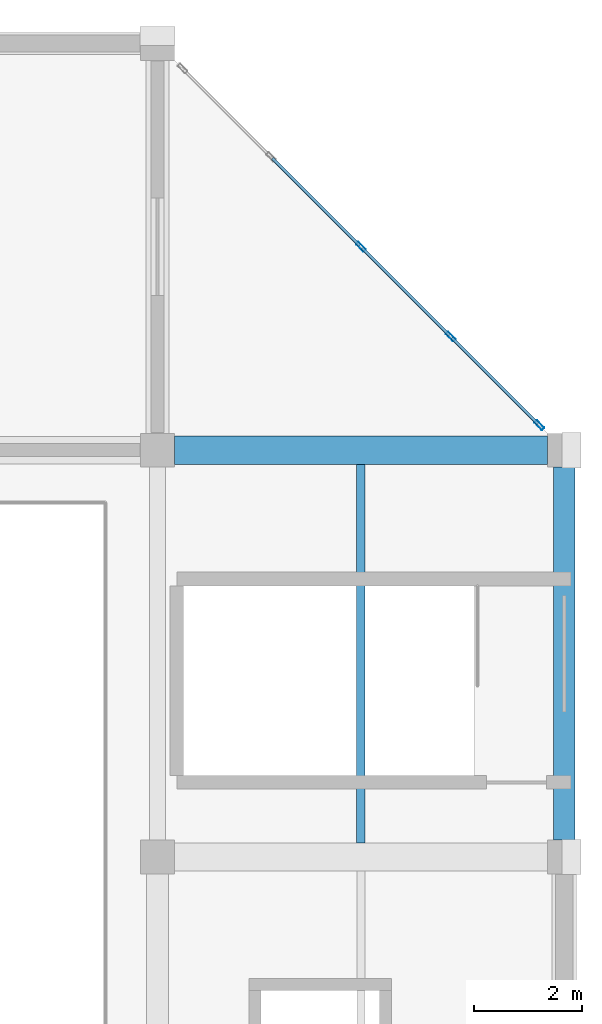
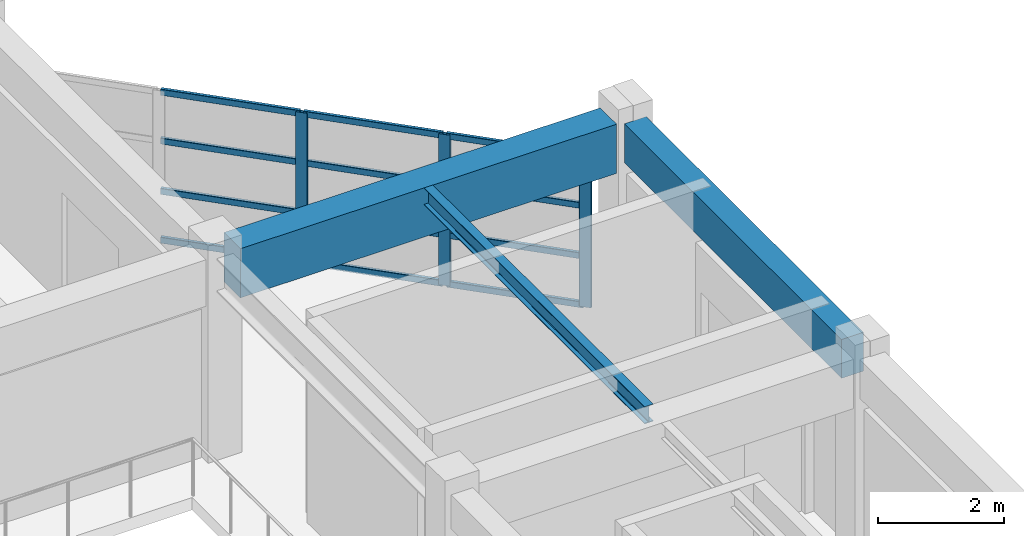
# One storey, part 67 of 124: 15 members, 3 beams, 1 element without a shape of its own.
"""IFC4 building model written with IfcOpenShell, lengths in metres."""

from ifc_helpers import new_model, si_unit, direction, frame, origin, origin_2d, place, context, subcontext, project, spatial, rectangle, hollow_rectangle, i_section, extrude, material, material_profile, profile_set, type_object, element, aggregate, save


model = new_model("IFC4")

# Units and contexts
model_context = context("Model", 3, precision=1e-05, world=origin(), true_north=direction((0.0, 1.0)))
body_context = subcontext(model_context, "Body", "Model", "MODEL_VIEW")
ifc_project = project(units=[si_unit("LENGTHUNIT", "METRE"), si_unit("AREAUNIT", "SQUARE_METRE"), si_unit("VOLUMEUNIT", "CUBIC_METRE"), si_unit("PLANEANGLEUNIT", "RADIAN"), si_unit("MASSUNIT", "GRAM", prefix="KILO")], contexts=[model_context])

# Site, building, storey
site_placement = place(None, origin())
site = spatial("IfcSite", under=ifc_project, at=site_placement, CompositionType="ELEMENT")
building_placement = place(site_placement, origin())
building = spatial("IfcBuilding", under=site, at=building_placement, Name="Qasida Concert Hall", CompositionType="ELEMENT")
storey_placement = place(building_placement, frame((0.0, 0.0, 9.0)))
storey = spatial("IfcBuildingStorey", under=building, at=storey_placement, Name="L02", CompositionType="ELEMENT", Elevation=9.0)

# Beams
ifc_material_1 = material(Name="Concrete C40/50", Category="concrete")
ifc_material_profile_1 = material_profile(ifc_material_1, rectangle(XDim=0.52001953125, YDim=0.949951171875, at=origin_2d()), Name="RC 520x950")
ifc_profile_set_1 = profile_set([ifc_material_profile_1], Name="Concrete C40/50")
beam_type_1 = type_object("IfcBeamType", Name="BM-G7", PredefinedType="USERDEFINED", material=ifc_profile_set_1)
beam_1_placement = place(storey_placement, frame((157.81005859375, 22.5, 3.425048828125), z_axis=(1.0, 0.0, 0.0), x_axis=(0.0, 1.0, 0.0)))
element("IfcBeam", 1, at=beam_1_placement, inside=storey, type_object=beam_type_1, Name="Primary girder 1237", ObjectType="GIRDER", PredefinedType="USERDEFINED", context=body_context, shape_type="SweptSolid", body=[
    extrude(rectangle(XDim=0.52001953125, YDim=0.949951171875, at=origin_2d()), origin(), (0.0, 0.0, 1.0), 6.8798828125),
])
ifc_material_2 = material(Name="Steel S355J2", Category="steel")
ifc_material_profile_2 = material_profile(ifc_material_2, i_section(OverallWidth=0.159912109375, OverallDepth=0.330078125, WebThickness=0.007568359375, FlangeThickness=0.011474609375, FilletRadius=0.01806640625, at=origin_2d()), Name="IPE 330")
ifc_profile_set_2 = profile_set([ifc_material_profile_2], Name="Steel S355J2")
beam_type_2 = type_object("IfcBeamType", Name="BM-J5", PredefinedType="JOIST", material=ifc_profile_set_2)
beam_2_placement = place(storey_placement, frame((161.25, 15.260009765625, 3.735107421875), z_axis=(0.0, 1.0, 0.0), x_axis=(-1.0, 0.0, 0.0)))
element("IfcBeam", 2, at=beam_2_placement, inside=storey, type_object=beam_type_2, Name="L02 secondary joist 1268", PredefinedType="JOIST", context=body_context, shape_type="SweptSolid", body=[
    extrude(i_section(OverallWidth=0.159912109375, OverallDepth=0.330078125, WebThickness=0.007568359375, FlangeThickness=0.011474609375, FilletRadius=0.01806640625, at=origin_2d()), origin(), (0.0, 0.0, 1.0), 6.97998046875),
])
ifc_material_profile_3 = material_profile(ifc_material_1, rectangle(XDim=0.39990234375, YDim=0.75, at=origin_2d()), Name="RC 400x750")
ifc_profile_set_3 = profile_set([ifc_material_profile_3], Name="Concrete C40/50")
beam_type_3 = type_object("IfcBeamType", Name="BM-SP1", PredefinedType="SPANDREL", material=ifc_profile_set_3)
beam_3_placement = place(storey_placement, frame((165.0, 15.31005859375, 3.52490234375), z_axis=(0.0, 1.0, 0.0), x_axis=(-1.0, 0.0, 0.0)))
element("IfcBeam", 3, at=beam_3_placement, inside=storey, type_object=beam_type_3, Name="L02 girder 1258", PredefinedType="SPANDREL", context=body_context, shape_type="SweptSolid", body=[
    extrude(rectangle(XDim=0.39990234375, YDim=0.75, at=origin_2d()), origin(), (0.0, 0.0, 1.0), 6.8798828125),
])

# Curtain wall, members
ifc_material_3 = material(Name="Architectural bronze-anodized aluminium and low-E glass", Category="aluminium")
curtain_wall_type = type_object("IfcCurtainWallType", Name="CW-07", PredefinedType="NOTDEFINED", material=ifc_material_3)
curtain_wall_placement = place(storey_placement, origin())
curtain_wall = element("IfcCurtainWall", 4, at=curtain_wall_placement, inside=storey, type_object=curtain_wall_type, Name="L02 curtain wall CW-07 0148", PredefinedType="NOTDEFINED")
ifc_material_4 = material(Name="Architectural bronze-anodized aluminium EN AW-6063", Category="aluminium")
ifc_material_profile_4 = material_profile(ifc_material_4, hollow_rectangle(XDim=0.06494140625, YDim=0.199951171875, WallThickness=0.0048828125, InnerFilletRadius=0.0048828125, OuterFilletRadius=0.010009765625, at=origin_2d()), Name="CWM 200x65x5")
ifc_profile_set_4 = profile_set([ifc_material_profile_4], Name="Architectural bronze-anodized aluminium EN AW-6063")
member_type_1 = type_object("IfcMemberType", Name="MB-CWM-2", PredefinedType="MULLION", material=ifc_profile_set_4)
member_1_placement = place(storey_placement, frame((164.53857421875, 22.96142578125, 0.0), z_axis=(0.0, 0.0, 1.0), x_axis=(-0.707106781187, -0.707106781187, 0.0)))
member_1 = element("IfcMember", 5, at=member_1_placement, type_object=member_type_1, Name="CW-07 mullion 1", PredefinedType="MULLION", context=body_context, shape_type="SweptSolid", body=[
    extrude(hollow_rectangle(XDim=0.06494140625, YDim=0.199951171875, WallThickness=0.0048828125, InnerFilletRadius=0.0048828125, OuterFilletRadius=0.010009765625, at=origin_2d()), origin(), (0.0, 0.0, 1.0), 2.919921875),
])
member_2_placement = place(storey_placement, frame((162.90576171875, 24.59423828125, 0.0), z_axis=(0.0, 0.0, 1.0), x_axis=(-0.707106781187, -0.707106781187, 0.0)))
member_2 = element("IfcMember", 6, at=member_2_placement, type_object=member_type_1, Name="CW-07 mullion 2", PredefinedType="MULLION", context=body_context, shape_type="SweptSolid", body=[
    extrude(hollow_rectangle(XDim=0.06494140625, YDim=0.199951171875, WallThickness=0.0048828125, InnerFilletRadius=0.0048828125, OuterFilletRadius=0.010009765625, at=origin_2d()), origin(), (0.0, 0.0, 1.0), 2.919921875),
])
member_3_placement = place(storey_placement, frame((161.25, 26.25, 0.0), z_axis=(0.0, 0.0, 1.0), x_axis=(-0.707106781187, -0.707106781187, 0.0)))
member_3 = element("IfcMember", 7, at=member_3_placement, type_object=member_type_1, Name="CW-07 mullion 3", PredefinedType="MULLION", context=body_context, shape_type="SweptSolid", body=[
    extrude(hollow_rectangle(XDim=0.06494140625, YDim=0.199951171875, WallThickness=0.0048828125, InnerFilletRadius=0.0048828125, OuterFilletRadius=0.010009765625, at=origin_2d()), origin(), (0.0, 0.0, 1.0), 2.919921875),
])
ifc_material_profile_5 = material_profile(ifc_material_4, hollow_rectangle(XDim=0.06005859375, YDim=0.1201171875, WallThickness=0.00390625, InnerFilletRadius=0.00390625, OuterFilletRadius=0.008056640625, at=origin_2d()), Name="CWT 120x60x4")
ifc_profile_set_5 = profile_set([ifc_material_profile_5], Name="Architectural bronze-anodized aluminium EN AW-6063")
member_type_2 = type_object("IfcMemberType", Name="MB-CWT-2", PredefinedType="USERDEFINED", material=ifc_profile_set_5)
member_4_placement = place(storey_placement, frame((164.515625, 22.984375, 0.030029296875), z_axis=(-0.707106781187, 0.707106781187, 0.0), x_axis=(-0.707106781187, -0.707106781187, 0.0)))
member_4 = element("IfcMember", 8, at=member_4_placement, type_object=member_type_2, Name="CW-07 transom 1.1", ObjectType="TRANSOM", PredefinedType="USERDEFINED", context=body_context, shape_type="SweptSolid", body=[
    extrude(hollow_rectangle(XDim=0.06005859375, YDim=0.1201171875, WallThickness=0.00390625, InnerFilletRadius=0.00390625, OuterFilletRadius=0.008056640625, at=origin_2d()), origin(), (0.0, 0.0, 1.0), 2.244140625),
])
member_5_placement = place(storey_placement, frame((164.515625, 22.984375, 0.973388671875), z_axis=(-0.707106781187, 0.707106781187, 0.0), x_axis=(-0.707106781187, -0.707106781187, 0.0)))
member_5 = element("IfcMember", 9, at=member_5_placement, type_object=member_type_2, Name="CW-07 transom 1.2", ObjectType="TRANSOM", PredefinedType="USERDEFINED", context=body_context, shape_type="SweptSolid", body=[
    extrude(hollow_rectangle(XDim=0.06005859375, YDim=0.1201171875, WallThickness=0.00390625, InnerFilletRadius=0.00390625, OuterFilletRadius=0.008056640625, at=origin_2d()), origin(), (0.0, 0.0, 1.0), 2.244140625),
])
member_6_placement = place(storey_placement, frame((164.515625, 22.984375, 1.94677734375), z_axis=(-0.707106781187, 0.707106781187, 0.0), x_axis=(-0.707106781187, -0.707106781187, 0.0)))
member_6 = element("IfcMember", 10, at=member_6_placement, type_object=member_type_2, Name="CW-07 transom 1.3", ObjectType="TRANSOM", PredefinedType="USERDEFINED", context=body_context, shape_type="SweptSolid", body=[
    extrude(hollow_rectangle(XDim=0.06005859375, YDim=0.1201171875, WallThickness=0.00390625, InnerFilletRadius=0.00390625, OuterFilletRadius=0.008056640625, at=origin_2d()), origin(), (0.0, 0.0, 1.0), 2.244140625),
])
member_7_placement = place(storey_placement, frame((164.515625, 22.984375, 2.889892578125), z_axis=(-0.707106781187, 0.707106781187, 0.0), x_axis=(-0.707106781187, -0.707106781187, 0.0)))
member_7 = element("IfcMember", 11, at=member_7_placement, type_object=member_type_2, Name="CW-07 transom 1.4", ObjectType="TRANSOM", PredefinedType="USERDEFINED", context=body_context, shape_type="SweptSolid", body=[
    extrude(hollow_rectangle(XDim=0.06005859375, YDim=0.1201171875, WallThickness=0.00390625, InnerFilletRadius=0.00390625, OuterFilletRadius=0.008056640625, at=origin_2d()), origin(), (0.0, 0.0, 1.0), 2.244140625),
])
member_8_placement = place(storey_placement, frame((162.8828125, 24.6171875, 0.030029296875), z_axis=(-0.707106781187, 0.707106781187, 0.0), x_axis=(-0.707106781187, -0.707106781187, 0.0)))
member_8 = element("IfcMember", 12, at=member_8_placement, type_object=member_type_2, Name="CW-07 transom 2.1", ObjectType="TRANSOM", PredefinedType="USERDEFINED", context=body_context, shape_type="SweptSolid", body=[
    extrude(hollow_rectangle(XDim=0.06005859375, YDim=0.1201171875, WallThickness=0.00390625, InnerFilletRadius=0.00390625, OuterFilletRadius=0.008056640625, at=origin_2d()), origin(), (0.0, 0.0, 1.0), 2.276611328125),
])
member_9_placement = place(storey_placement, frame((162.8828125, 24.6171875, 0.973388671875), z_axis=(-0.707106781187, 0.707106781187, 0.0), x_axis=(-0.707106781187, -0.707106781187, 0.0)))
member_9 = element("IfcMember", 13, at=member_9_placement, type_object=member_type_2, Name="CW-07 transom 2.2", ObjectType="TRANSOM", PredefinedType="USERDEFINED", context=body_context, shape_type="SweptSolid", body=[
    extrude(hollow_rectangle(XDim=0.06005859375, YDim=0.1201171875, WallThickness=0.00390625, InnerFilletRadius=0.00390625, OuterFilletRadius=0.008056640625, at=origin_2d()), origin(), (0.0, 0.0, 1.0), 2.276611328125),
])
member_10_placement = place(storey_placement, frame((162.8828125, 24.6171875, 1.94677734375), z_axis=(-0.707106781187, 0.707106781187, 0.0), x_axis=(-0.707106781187, -0.707106781187, 0.0)))
member_10 = element("IfcMember", 14, at=member_10_placement, type_object=member_type_2, Name="CW-07 transom 2.3", ObjectType="TRANSOM", PredefinedType="USERDEFINED", context=body_context, shape_type="SweptSolid", body=[
    extrude(hollow_rectangle(XDim=0.06005859375, YDim=0.1201171875, WallThickness=0.00390625, InnerFilletRadius=0.00390625, OuterFilletRadius=0.008056640625, at=origin_2d()), origin(), (0.0, 0.0, 1.0), 2.276611328125),
])
member_11_placement = place(storey_placement, frame((162.8828125, 24.6171875, 2.889892578125), z_axis=(-0.707106781187, 0.707106781187, 0.0), x_axis=(-0.707106781187, -0.707106781187, 0.0)))
member_11 = element("IfcMember", 15, at=member_11_placement, type_object=member_type_2, Name="CW-07 transom 2.4", ObjectType="TRANSOM", PredefinedType="USERDEFINED", context=body_context, shape_type="SweptSolid", body=[
    extrude(hollow_rectangle(XDim=0.06005859375, YDim=0.1201171875, WallThickness=0.00390625, InnerFilletRadius=0.00390625, OuterFilletRadius=0.008056640625, at=origin_2d()), origin(), (0.0, 0.0, 1.0), 2.276611328125),
])
member_12_placement = place(storey_placement, frame((161.22705078125, 26.27294921875, 0.030029296875), z_axis=(-0.707106781187, 0.707106781187, 0.0), x_axis=(-0.707106781187, -0.707106781187, 0.0)))
member_12 = element("IfcMember", 16, at=member_12_placement, type_object=member_type_2, Name="CW-07 transom 3.1", ObjectType="TRANSOM", PredefinedType="USERDEFINED", context=body_context, shape_type="SweptSolid", body=[
    extrude(hollow_rectangle(XDim=0.06005859375, YDim=0.1201171875, WallThickness=0.00390625, InnerFilletRadius=0.00390625, OuterFilletRadius=0.008056640625, at=origin_2d()), origin(), (0.0, 0.0, 1.0), 2.276611328125),
])
member_13_placement = place(storey_placement, frame((161.22705078125, 26.27294921875, 0.973388671875), z_axis=(-0.707106781187, 0.707106781187, 0.0), x_axis=(-0.707106781187, -0.707106781187, 0.0)))
member_13 = element("IfcMember", 17, at=member_13_placement, type_object=member_type_2, Name="CW-07 transom 3.2", ObjectType="TRANSOM", PredefinedType="USERDEFINED", context=body_context, shape_type="SweptSolid", body=[
    extrude(hollow_rectangle(XDim=0.06005859375, YDim=0.1201171875, WallThickness=0.00390625, InnerFilletRadius=0.00390625, OuterFilletRadius=0.008056640625, at=origin_2d()), origin(), (0.0, 0.0, 1.0), 2.276611328125),
])
member_14_placement = place(storey_placement, frame((161.22705078125, 26.27294921875, 1.94677734375), z_axis=(-0.707106781187, 0.707106781187, 0.0), x_axis=(-0.707106781187, -0.707106781187, 0.0)))
member_14 = element("IfcMember", 18, at=member_14_placement, type_object=member_type_2, Name="CW-07 transom 3.3", ObjectType="TRANSOM", PredefinedType="USERDEFINED", context=body_context, shape_type="SweptSolid", body=[
    extrude(hollow_rectangle(XDim=0.06005859375, YDim=0.1201171875, WallThickness=0.00390625, InnerFilletRadius=0.00390625, OuterFilletRadius=0.008056640625, at=origin_2d()), origin(), (0.0, 0.0, 1.0), 2.276611328125),
])
member_15_placement = place(storey_placement, frame((161.22705078125, 26.27294921875, 2.889892578125), z_axis=(-0.707106781187, 0.707106781187, 0.0), x_axis=(-0.707106781187, -0.707106781187, 0.0)))
member_15 = element("IfcMember", 19, at=member_15_placement, type_object=member_type_2, Name="CW-07 transom 3.4", ObjectType="TRANSOM", PredefinedType="USERDEFINED", context=body_context, shape_type="SweptSolid", body=[
    extrude(hollow_rectangle(XDim=0.06005859375, YDim=0.1201171875, WallThickness=0.00390625, InnerFilletRadius=0.00390625, OuterFilletRadius=0.008056640625, at=origin_2d()), origin(), (0.0, 0.0, 1.0), 2.276611328125),
])
aggregate(curtain_wall, [member_1, member_2, member_3, member_4, member_5, member_6, member_7, member_8, member_9, member_10, member_11, member_12, member_13, member_14, member_15])

save(model, "model.ifc")
